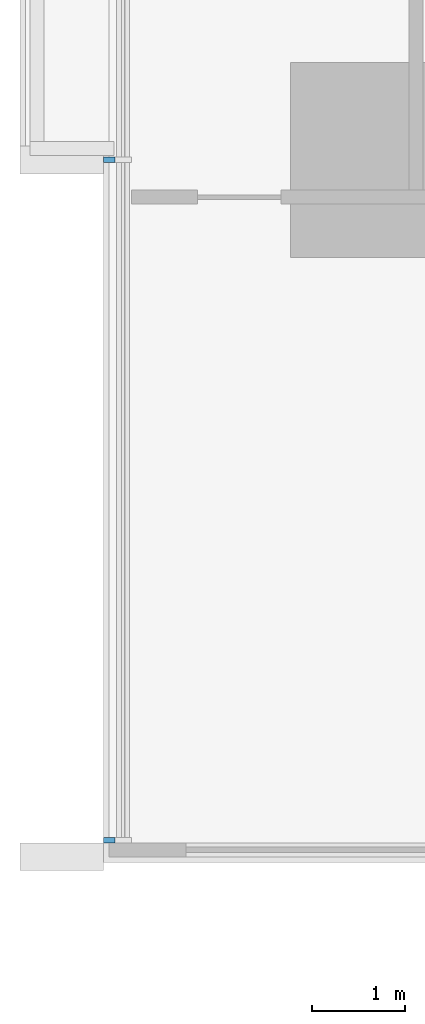
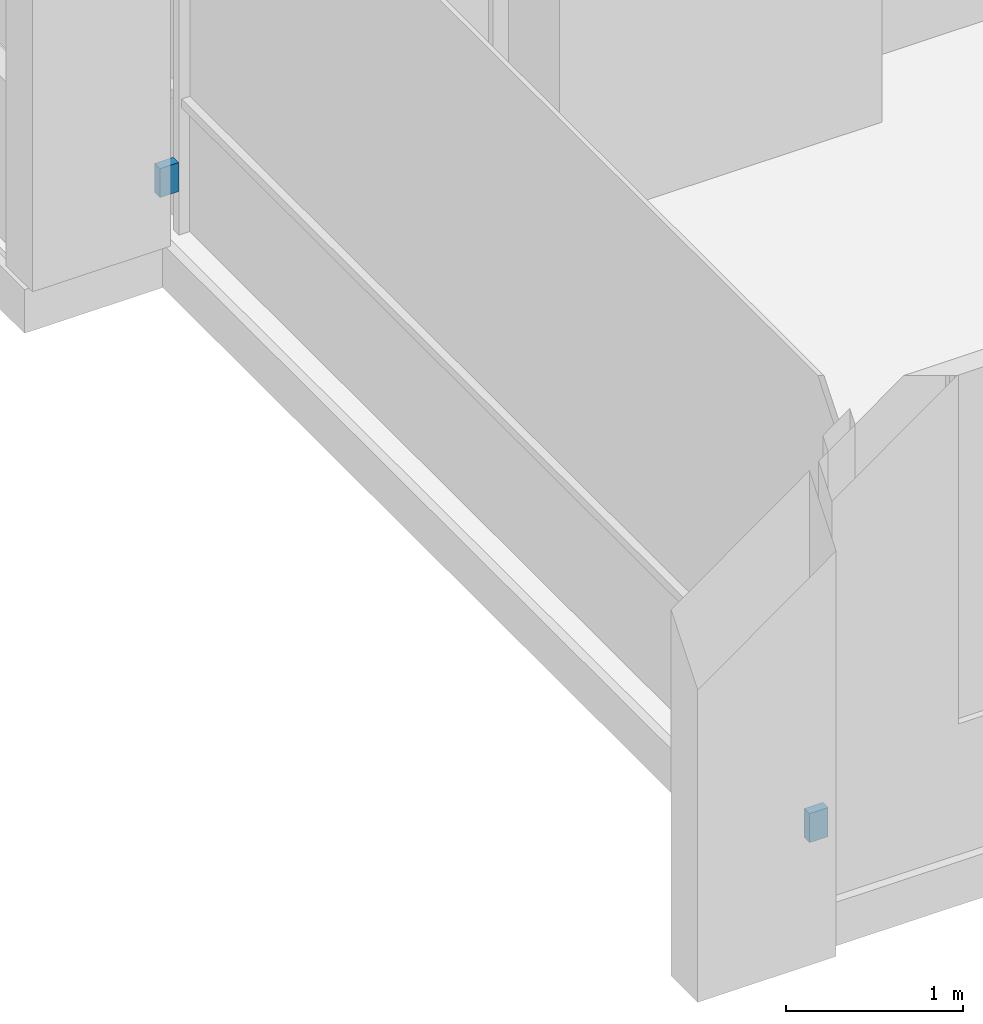
# One storey, part 12 of 16: 2 discrete accessories.
"""IFC4 building model written with IfcOpenShell, lengths in metres."""

import ifcopenshell
import ifcopenshell.guid

model = None  # the IFC model being written
_history = None  # IfcOwnerHistory: only IFC2X3 demands one
_inside = {}  # id of a spatial element -> (the spatial element, [elements in it])
_under = {}  # id of a project, library or spatial element -> (it, [spatial elements below it])
_declared = {}  # id of a project -> (the project, [libraries it declares])
_typed = {}  # id of a type object -> (the type object, [elements of that type])
_made_of = {}  # id of a material, layer set ... -> (it, [elements and type objects made of it])


def new_model(schema):
    """Start an empty IFC model of exactly this schema.

    Asked for "IFC4X3", IfcOpenShell would pick the latest addendum, in which some entities
    have other attributes; the version numbers below select the first issue.
    IFC2X3 requires an IfcOwnerHistory on every rooted entity: one is made here for all.
    """
    global model, _history
    if schema == "IFC4X3":
        model = ifcopenshell.file(schema_version=(4, 3, 0, 0))
    else:
        model = ifcopenshell.file(schema=schema)
    _inside.clear()
    _under.clear()
    _declared.clear()
    _typed.clear()
    _made_of.clear()
    _history = None
    if model.schema == "IFC2X3":
        org = make("IfcOrganization", Name="unknown")
        user = make(
            "IfcPersonAndOrganization",
            ThePerson=make("IfcPerson", FamilyName="unknown"),
            TheOrganization=org,
        )
        app = make(
            "IfcApplication",
            ApplicationDeveloper=org,
            Version="unknown",
            ApplicationFullName="unknown",
            ApplicationIdentifier="unknown",
        )
        _history = make(
            "IfcOwnerHistory",
            OwningUser=user,
            OwningApplication=app,
            ChangeAction="ADDED",
            CreationDate=0,
        )
    return model


def make(cls, **values):
    """One entity of the class cls with the attributes given. An attribute that is None is left unset."""
    return model.create_entity(
        cls, **{name: value for name, value in values.items() if value is not None}
    )


def rooted(cls, **values):
    """An entity with a GlobalId (a new one), such as an element, a storey or a relation."""
    return make(cls, GlobalId=ifcopenshell.guid.new(), OwnerHistory=_history, **values)


def si_unit(unit_type, name, prefix=None):
    """IfcSIUnit, for example si_unit("LENGTHUNIT", "METRE", prefix="MILLI")."""
    return make("IfcSIUnit", UnitType=unit_type, Prefix=prefix, Name=name)


def assignment(units):
    """IfcUnitAssignment: the units of a project."""
    return None if units is None else make("IfcUnitAssignment", Units=units)


def point(xyz):
    """IfcCartesianPoint."""
    return None if xyz is None else make("IfcCartesianPoint", Coordinates=xyz)


def direction(xyz):
    """IfcDirection."""
    return None if xyz is None else make("IfcDirection", DirectionRatios=xyz)


def frame(location, z_axis=None, x_axis=None):
    """IfcAxis2Placement3D, a coordinate frame: its origin and axes. An axis left out is left unset."""
    return make(
        "IfcAxis2Placement3D",
        Location=point(location),
        Axis=direction(z_axis),
        RefDirection=direction(x_axis),
    )


def frame_2d(location, x_axis=None):
    """IfcAxis2Placement2D, a coordinate frame in the plane: its origin and x axis."""
    return make(
        "IfcAxis2Placement2D", Location=point(location), RefDirection=direction(x_axis)
    )


def origin():
    """The frame at (0, 0, 0) with its axes left unset."""
    return frame((0.0, 0.0, 0.0))


def origin_2d():
    """The frame at (0, 0) in the plane with its x axis left unset."""
    return frame_2d((0.0, 0.0))


def place(relative_to, where):
    """IfcLocalPlacement: puts the frame where relative to a parent placement (None: the world)."""
    return make(
        "IfcLocalPlacement", PlacementRelTo=relative_to, RelativePlacement=where
    )


def context(
    kind, dimensions, precision=None, world=None, true_north=None, identifier=None
):
    """IfcGeometricRepresentationContext, for example the 3D "Model" context."""
    return make(
        "IfcGeometricRepresentationContext",
        ContextIdentifier=identifier,
        ContextType=kind,
        CoordinateSpaceDimension=dimensions,
        Precision=precision,
        WorldCoordinateSystem=world,
        TrueNorth=true_north,
    )


def subcontext(parent, identifier, kind, view, scale=None):
    """IfcGeometricRepresentationSubContext, for example "Body" below "Model"."""
    return make(
        "IfcGeometricRepresentationSubContext",
        ContextIdentifier=identifier,
        ContextType=kind,
        ParentContext=parent,
        TargetScale=scale,
        TargetView=view,
    )


def project(units=None, contexts=None):
    """IfcProject with its units and contexts."""
    return rooted(
        "IfcProject",
        Name="project",
        RepresentationContexts=contexts,
        UnitsInContext=assignment(units),
    )


def spatial(cls, under=None, at=None, **own):
    """A site, building, storey or space (cls), placed at a placement, below another one or the project."""
    s = rooted(cls, ObjectPlacement=at, **own)
    if under is not None:
        _under.setdefault(under.id(), (under, []))[1].append(s)
    return s


def profile(cls, at=None, kind="AREA", **sizes):
    """A parametric profile (cls). Its sizes go by their IFC names, for example OverallWidth=200.0."""
    return make(cls, ProfileType=kind, Position=at, **sizes)


def rectangle(**sizes):
    """IfcRectangleProfileDef."""
    return profile("IfcRectangleProfileDef", **sizes)


def extrude(swept, where, along, depth):
    """IfcExtrudedAreaSolid: the profile swept, set in the frame where, extruded along a direction by depth."""
    return make(
        "IfcExtrudedAreaSolid",
        SweptArea=swept,
        Position=where,
        ExtrudedDirection=direction(along),
        Depth=depth,
    )


def shape(context_of_items, identifier, shape_type, items):
    """IfcShapeRepresentation: the items that make up one representation, for example the "Body"."""
    return make(
        "IfcShapeRepresentation",
        ContextOfItems=context_of_items,
        RepresentationIdentifier=identifier,
        RepresentationType=shape_type,
        Items=items,
    )


def material(Name=None, Category=None):
    """IfcMaterial."""
    return make("IfcMaterial", Name=Name, Category=Category)


def made_of(thing, what):
    """Note that an element or type object is made of a material, layer set ...; save() writes the relation."""
    if what is not None:
        _made_of.setdefault(what.id(), (what, []))[1].append(thing)
    return thing


def type_object(cls, material=None, **own):
    """A type object (cls), such as IfcWallType, which elements share."""
    return made_of(rooted(cls, **own), material)


def element(
    cls,
    number,
    at=None,
    inside=None,
    cuts=None,
    type_object=None,
    material=None,
    context=None,
    identifier="Body",
    shape_type=None,
    held_by="IfcProductDefinitionShape",
    body=None,
    shapes=None,
    **own,
):
    """One element of the class cls, such as IfcWall. Its Tag is "e" and its number.

    at: its placement. inside: the storey or other place that contains it. cuts: it is an
    opening in that element (IfcRelVoidsElement). A single representation is given by context,
    identifier, shape_type and body (its items); several are given by shapes. held_by: the class
    of the entity that holds the representations. save() writes the other relations.
    """
    e = rooted(cls, Tag="e%d" % number, ObjectPlacement=at, **own)
    if body is not None:
        shapes = [shape(context, identifier, shape_type, body)]
    if shapes is not None:
        e.Representation = make(held_by, Representations=shapes)
    if inside is not None:
        _inside.setdefault(inside.id(), (inside, []))[1].append(e)
    if cuts is not None:
        rooted(
            "IfcRelVoidsElement", RelatingBuildingElement=cuts, RelatedOpeningElement=e
        )
    if type_object is not None:
        _typed.setdefault(type_object.id(), (type_object, []))[1].append(e)
    return made_of(e, material)


def aggregate(whole, parts):
    """IfcRelAggregates: a whole, such as a stair, and the parts it consists of."""
    return rooted("IfcRelAggregates", RelatingObject=whole, RelatedObjects=parts)


def save(model, path):
    """Write the relations noted so far, then the file.

    IfcRelAggregates (storeys below a building ...), IfcRelContainedInSpatialStructure (elements
    in a storey), IfcRelDefinesByType, IfcRelAssociatesMaterial and IfcRelDeclares: one each for
    every whole, place, type object, material and project.
    """
    for whole, parts in _under.values():
        aggregate(whole, parts)
    for where, things in _inside.values():
        rooted(
            "IfcRelContainedInSpatialStructure",
            RelatedElements=things,
            RelatingStructure=where,
        )
    for kind, things in _typed.values():
        rooted("IfcRelDefinesByType", RelatedObjects=things, RelatingType=kind)
    for what, things in _made_of.values():
        rooted("IfcRelAssociatesMaterial", RelatedObjects=things, RelatingMaterial=what)
    for by, libraries in _declared.values():
        rooted("IfcRelDeclares", RelatingContext=by, RelatedDefinitions=libraries)
    model.write(path)


model = new_model("IFC4")

# Units and contexts
model_context = context("Model", 3, precision=1e-05, world=origin(), true_north=direction((0.0, 1.0)))
body_context = subcontext(model_context, "Body", "Model", "MODEL_VIEW")
ifc_project = project(units=[si_unit("LENGTHUNIT", "METRE"), si_unit("AREAUNIT", "SQUARE_METRE"), si_unit("VOLUMEUNIT", "CUBIC_METRE"), si_unit("PLANEANGLEUNIT", "RADIAN"), si_unit("MASSUNIT", "GRAM", prefix="KILO")], contexts=[model_context])

# Site, building, storey
site_placement = place(None, origin())
site = spatial("IfcSite", under=ifc_project, at=site_placement, CompositionType="ELEMENT")
building_placement = place(site_placement, origin())
building = spatial("IfcBuilding", under=site, at=building_placement, Name="Finial Court Residences", CompositionType="ELEMENT")
storey_placement = place(building_placement, frame((0.0, 0.0, 212.300048828125)))
storey = spatial("IfcBuildingStorey", under=building, at=storey_placement, Name="L53", CompositionType="ELEMENT", Elevation=212.300048828125)

# Discrete accessories
ifc_material = material(Name="Stainless steel 316", Category="steel")
discrete_accessory_type = type_object("IfcDiscreteAccessoryType", Name="Fin bracket, stainless steel 60 x 122 x 200", PredefinedType="BRACKET", material=ifc_material)
for number, where, z_axis, x_axis, name in (
    (1, (-19.498779296875, -20.820068359375, 0.2998046875), (0.0, 0.0, 1.0), (1.0, 0.0, 0.0), "E-L53-FIN-W21-BRK"),
    (2, (-19.498779296875, -13.5, 0.2998046875), (0.0, 0.0, 1.0), (1.0, 0.0, 0.0), "E-L53-FIN-W22-BRK"),
):
    element("IfcDiscreteAccessory", number, at=place(storey_placement, frame(where, z_axis=z_axis, x_axis=x_axis)), inside=storey, type_object=discrete_accessory_type, Name=name, PredefinedType="BRACKET", context=body_context, shape_type="SweptSolid", body=[
        extrude(rectangle(XDim=0.12255859375, YDim=0.06005859375, at=origin_2d()), origin(), (0.0, 0.0, 1.0), 0.199951171875),
    ])

save(model, "model.ifc")
